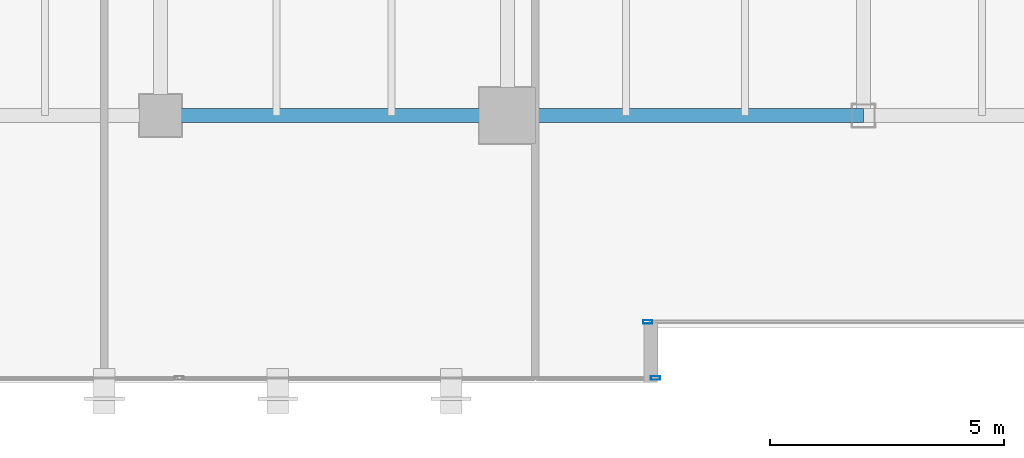
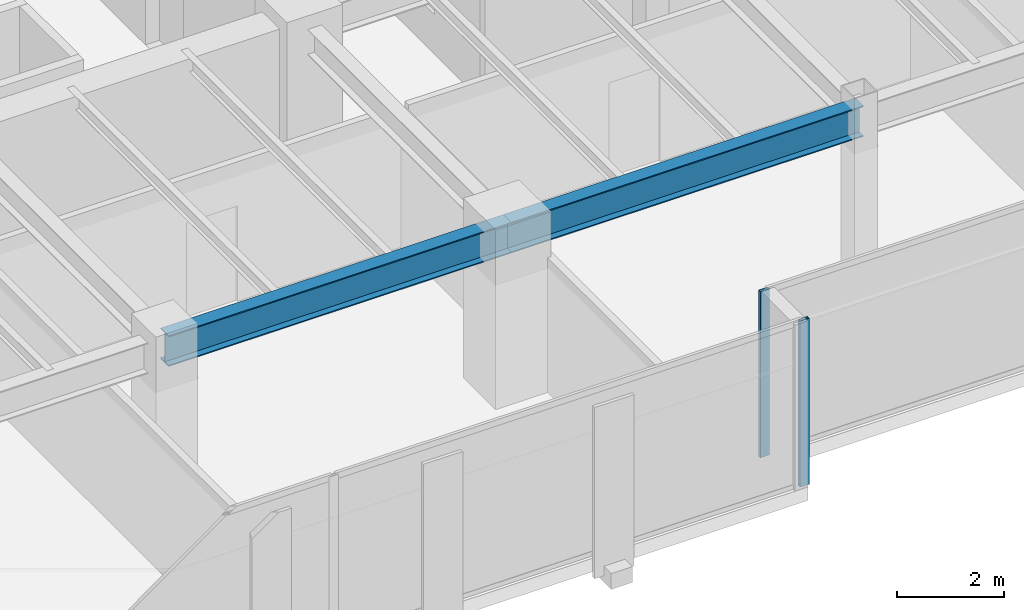
# One storey, part 4 of 34: 2 beams, 2 members, 2 elements without a shape of their own.
"""IFC4 building model written with IfcOpenShell, lengths in metres."""

from ifc_helpers import new_model, si_unit, direction, frame, origin, origin_2d, place, context, subcontext, project, spatial, hollow_rectangle, i_section, extrude, source, transform, mapped, material, layer, layer_set, material_profile, profile_set, type_object, type_shapes, element, aggregate, save


model = new_model("IFC4")

# Units and contexts
model_context = context("Model", 3, precision=1e-05, world=origin(), true_north=direction((0.0, 1.0)))
body_context = subcontext(model_context, "Body", "Model", "MODEL_VIEW")
ifc_project = project(units=[si_unit("LENGTHUNIT", "METRE"), si_unit("AREAUNIT", "SQUARE_METRE"), si_unit("VOLUMEUNIT", "CUBIC_METRE"), si_unit("PLANEANGLEUNIT", "RADIAN"), si_unit("MASSUNIT", "GRAM", prefix="KILO")], contexts=[model_context])

# Site, building, storey
site_placement = place(None, origin())
site = spatial("IfcSite", under=ifc_project, at=site_placement, CompositionType="ELEMENT")
building_placement = place(site_placement, origin())
building = spatial("IfcBuilding", under=site, at=building_placement, Name="Haelvirn Gate Laboratories", CompositionType="ELEMENT")
storey_placement = place(building_placement, frame((0.0, 0.0, 158.39990234375)))
storey = spatial("IfcBuildingStorey", under=building, at=storey_placement, Name="L38", CompositionType="ELEMENT", Elevation=158.39990234375)

# Beams
ifc_material_1 = material(Name="Steel SM355", Category="steel")
ifc_material_profile_1 = material_profile(ifc_material_1, i_section(OverallWidth=0.300048828125, OverallDepth=0.699951171875, WebThickness=0.012939453125, FlangeThickness=0.02392578125, at=origin_2d()), Name="H-700x300x13x24")
ifc_profile_set_1 = profile_set([ifc_material_profile_1], Name="Steel SM355")
beam_type = type_object("IfcBeamType", Name="BM-G-700", PredefinedType="BEAM", material=ifc_profile_set_1)
shared_shape_1 = source(origin(), body_context, "Body", "SweptSolid", [
    extrude(i_section(OverallWidth=0.300048828125, OverallDepth=0.699951171875, WebThickness=0.012939453125, FlangeThickness=0.02392578125, at=origin_2d()), origin(), (0.0, 0.0, 1.0), 7.39990234375),
])
beam_1_placement = place(storey_placement, frame((14.800048828125, 7.0, 3.440185546875), z_axis=(1.0, 0.0, 0.0), x_axis=(0.0, 1.0, 0.0)))
element("IfcBeam", 1, at=beam_1_placement, inside=storey, type_object=beam_type, Name="L38 Primary Girder Y7.0 (14.8-22.2)", PredefinedType="BEAM", context=body_context, shape_type="MappedRepresentation", body=[
    mapped(shared_shape_1, transform((0.0, 0.0, 0.0), scale=1.0)),
])
shared_shape_2 = source(origin(), body_context, "Body", "SweptSolid", [
    extrude(i_section(OverallWidth=0.300048828125, OverallDepth=0.699951171875, WebThickness=0.012939453125, FlangeThickness=0.02392578125, at=origin_2d()), origin(), (0.0, 0.0, 1.0), 7.60009765625),
])
type_shapes(beam_type, [shared_shape_1, shared_shape_2])
beam_2_placement = place(storey_placement, frame((22.199951171875, 7.0, 3.440185546875), z_axis=(1.0, 0.0, 0.0), x_axis=(0.0, 1.0, 0.0)))
element("IfcBeam", 2, at=beam_2_placement, inside=storey, type_object=beam_type, Name="L38 Primary Girder Y7.0 (22.2-29.8)", PredefinedType="BEAM", context=body_context, shape_type="MappedRepresentation", body=[
    mapped(shared_shape_2, transform((0.0, 0.0, 0.0), scale=1.0)),
])

# Curtain wall, member
ifc_material_2 = material(Name="Anodised bronze unitised aluminium & triple low-E glass", Category="aluminium")
ifc_layer = layer(ifc_material_2, 0.179931640625, Name="CW-SYS-3")
ifc_layer_set = layer_set([ifc_layer], Name="Anodised bronze unitised aluminium & triple low-E glass")
curtain_wall_type = type_object("IfcCurtainWallType", Name="CW-SYS-3", PredefinedType="NOTDEFINED", material=ifc_layer_set)
curtain_wall_1_placement = place(storey_placement, origin())
curtain_wall_1 = element("IfcCurtainWall", 3, at=curtain_wall_1_placement, inside=storey, type_object=curtain_wall_type, Name="L38 Unitised Curtain Wall CW-L38-P0-E00-1", PredefinedType="NOTDEFINED")
ifc_material_3 = material(Name="Extruded aluminium 6063-T6 (anodised bronze)", Category="aluminium")
ifc_material_profile_2 = material_profile(ifc_material_3, hollow_rectangle(XDim=0.074951171875, YDim=0.199951171875, WallThickness=0.0048828125, at=origin_2d()), Name="CWM-200x75x5")
ifc_profile_set_2 = profile_set([ifc_material_profile_2], Name="Extruded aluminium 6063-T6 (anodised bronze)")
member_type = type_object("IfcMemberType", Name="CWM-T200", PredefinedType="MULLION", material=ifc_profile_set_2)
shared_shape_3 = source(origin(), body_context, "Body", "SweptSolid", [
    extrude(hollow_rectangle(XDim=0.074951171875, YDim=0.199951171875, WallThickness=0.0048828125, at=origin_2d()), origin(), (0.0, 0.0, 1.0), 3.7900390625),
])
type_shapes(member_type, [shared_shape_3])
member_1_placement = place(storey_placement, frame((25.362548828125, 1.39990234375, 0.0), z_axis=(0.0, 0.0, 1.0), x_axis=(0.0, 1.0, 0.0)))
member_1 = element("IfcMember", 4, at=member_1_placement, type_object=member_type, Name="CW3 mullion 3", PredefinedType="MULLION", context=body_context, shape_type="MappedRepresentation", body=[
    mapped(shared_shape_3, transform((0.0, 0.0, 0.0), scale=1.0)),
])
aggregate(curtain_wall_1, [member_1])

curtain_wall_2_placement = place(storey_placement, origin())
curtain_wall_2 = element("IfcCurtainWall", 5, at=curtain_wall_2_placement, inside=storey, type_object=curtain_wall_type, Name="L38 Unitised Curtain Wall CW-L38-P0-E02-1", PredefinedType="NOTDEFINED")
member_2_placement = place(storey_placement, frame((25.197509765625, 2.60009765625, 0.0), z_axis=(0.0, 0.0, 1.0), x_axis=(0.0, 1.0, 0.0)))
member_2 = element("IfcMember", 6, at=member_2_placement, type_object=member_type, Name="CW3 mullion 1", PredefinedType="MULLION", context=body_context, shape_type="MappedRepresentation", body=[
    mapped(shared_shape_3, transform((0.0, 0.0, 0.0), scale=1.0)),
])
aggregate(curtain_wall_2, [member_2])

save(model, "model.ifc")
